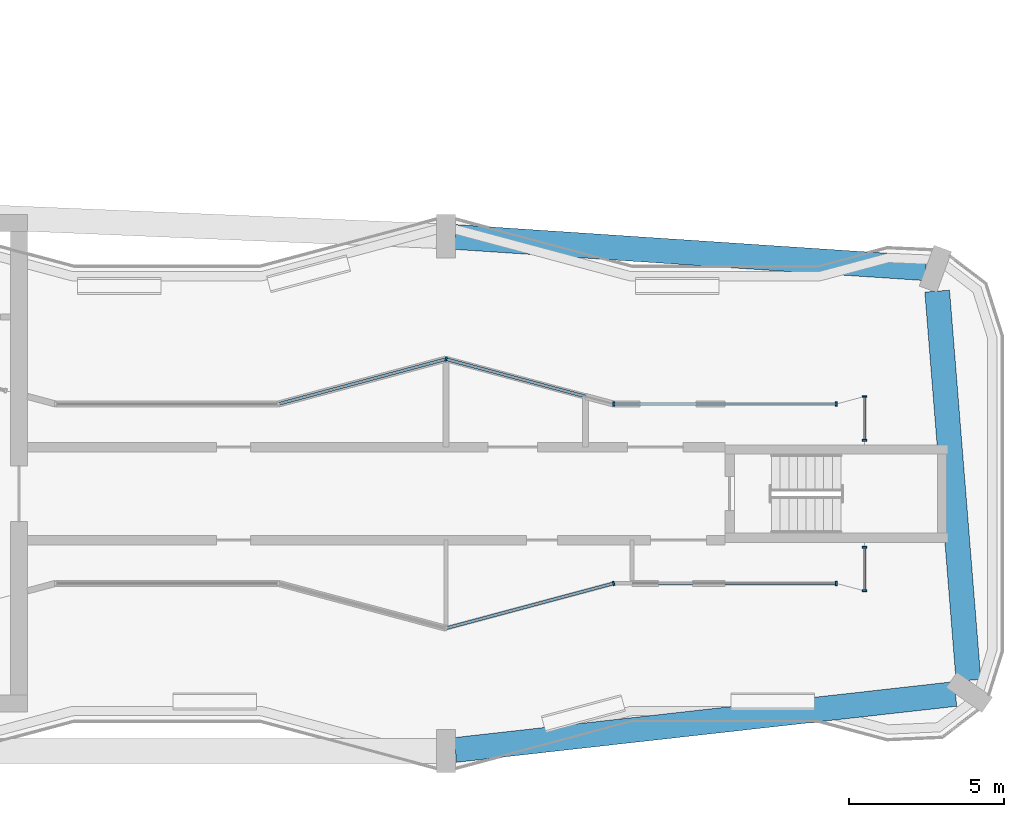
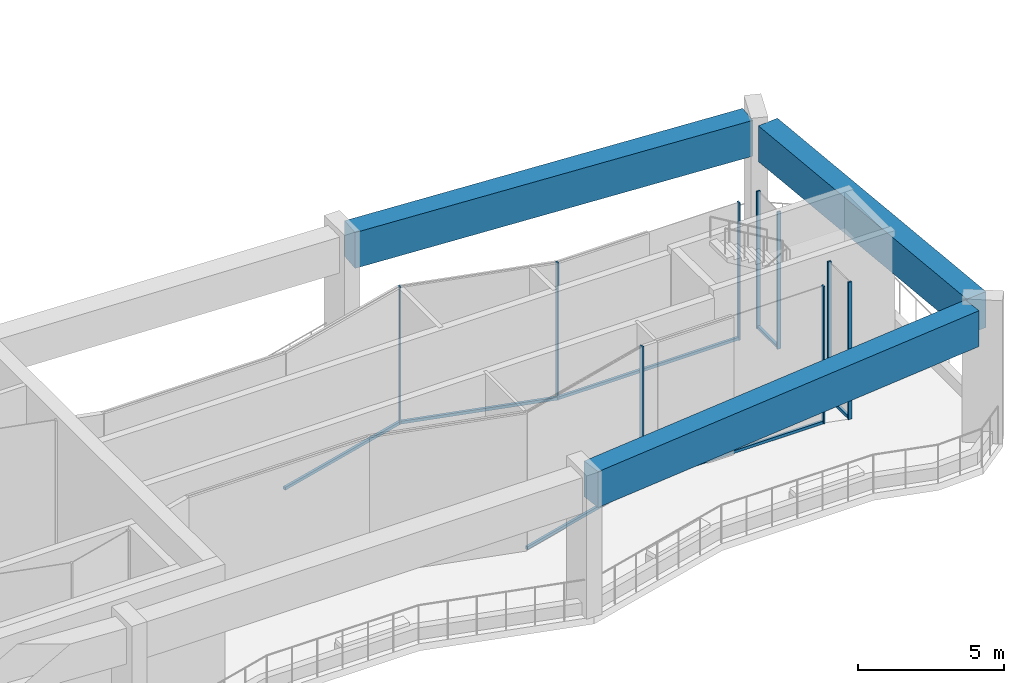
# One storey, part 6 of 17: 16 members, 3 beams, 7 elements without a shape of their own.
"""IFC4 building model written with IfcOpenShell, lengths in metres."""

from ifc_helpers import new_model, si_unit, direction, frame, origin, origin_2d, place, context, subcontext, project, spatial, rectangle, extrude, material, layer, layer_set, material_profile, profile_set, type_object, element, aggregate, save


model = new_model("IFC4")

# Units and contexts
model_context = context("Model", 3, precision=1e-05, world=origin(), true_north=direction((0.0, 1.0)))
body_context = subcontext(model_context, "Body", "Model", "MODEL_VIEW")
ifc_project = project(units=[si_unit("LENGTHUNIT", "METRE"), si_unit("AREAUNIT", "SQUARE_METRE"), si_unit("VOLUMEUNIT", "CUBIC_METRE"), si_unit("PLANEANGLEUNIT", "RADIAN"), si_unit("MASSUNIT", "GRAM", prefix="KILO")], contexts=[model_context])

# Site, building, storey
site_placement = place(None, origin())
site = spatial("IfcSite", under=ifc_project, at=site_placement, CompositionType="ELEMENT")
building_placement = place(site_placement, origin())
building = spatial("IfcBuilding", under=site, at=building_placement, Name="Plateau Cross Towers", CompositionType="ELEMENT")
storey_placement = place(building_placement, frame((0.0, 0.0, 184.89990234375)))
storey = spatial("IfcBuildingStorey", under=building, at=storey_placement, Name="L48", CompositionType="ELEMENT", Elevation=184.89990234375)

# Beams
ifc_material_1 = material(Name="Concrete C60/75", Category="concrete")
ifc_material_profile_1 = material_profile(ifc_material_1, rectangle(XDim=0.800048828125, YDim=1.5, at=origin_2d()), Name="RC 800x1500")
ifc_profile_set_1 = profile_set([ifc_material_profile_1], Name="Concrete C60/75")
beam_type = type_object("IfcBeamType", Name="Belt beam RC 800x1500", PredefinedType="BEAM", material=ifc_profile_set_1)
beam_1_placement = place(storey_placement, frame((36.300048828125, 0.733642578125, 5.0), z_axis=(0.993793168794, 0.111243596035, 0.0), x_axis=(-0.111243596035, 0.993793168794, 0.0)))
element("IfcBeam", 1, at=beam_1_placement, inside=storey, type_object=beam_type, Name="BELT-L48-02", PredefinedType="BEAM", context=body_context, shape_type="SweptSolid", body=[
    extrude(rectangle(XDim=0.800048828125, YDim=1.5, at=origin_2d()), origin(), (0.0, 0.0, 1.0), 16.23388671875),
])
beam_2_placement = place(storey_placement, frame((52.85302734375, 2.97802734375, 5.0), z_axis=(-0.080067998508, 0.996789403844, 0.0), x_axis=(-0.996789403844, -0.080067998508, 0.0)))
element("IfcBeam", 2, at=beam_2_placement, inside=storey, type_object=beam_type, Name="BELT-L48-03", PredefinedType="BEAM", context=body_context, shape_type="SweptSolid", body=[
    extrude(rectangle(XDim=0.800048828125, YDim=1.5, at=origin_2d()), origin(), (0.0, 0.0, 1.0), 12.59619140625),
])
beam_3_placement = place(storey_placement, frame((51.47509765625, 16.272705078125, 5.0), z_axis=(-0.99780408253, 0.06623452941, 0.0), x_axis=(-0.06623452941, -0.99780408253, 0.0)))
element("IfcBeam", 3, at=beam_3_placement, inside=storey, type_object=beam_type, Name="BELT-L48-04", PredefinedType="BEAM", context=body_context, shape_type="SweptSolid", body=[
    extrude(rectangle(XDim=0.800048828125, YDim=1.5, at=origin_2d()), origin(), (0.0, 0.0, 1.0), 15.20849609375),
])

# Curtain wall, member
ifc_material_2 = material(Name="Dark low-iron glass", Category="glass")
ifc_layer = layer(ifc_material_2, 0.239990234375)
ifc_layer_set = layer_set([ifc_layer], Name="Dark low-iron glass")
curtain_wall_type = type_object("IfcCurtainWallType", Name="Curtain wall flush unitised CW-B", PredefinedType="NOTDEFINED", material=ifc_layer_set)
curtain_wall_1_placement = place(storey_placement, origin())
curtain_wall_1 = element("IfcCurtainWall", 4, at=curtain_wall_1_placement, inside=storey, type_object=curtain_wall_type, Name="ENV/A/L48/inner0_360_133", PredefinedType="NOTDEFINED")
ifc_material_3 = material(Name="Black anodised aluminium", Category="aluminium")
ifc_material_profile_2 = material_profile(ifc_material_3, rectangle(XDim=0.06005859375, YDim=0.139892578125, at=origin_2d()), Name="MULLION 60x140")
ifc_profile_set_2 = profile_set([ifc_material_profile_2], Name="Black anodised aluminium")
member_type_1 = type_object("IfcMemberType", Name="Mullion 60x140 flush unitised", PredefinedType="MULLION", material=ifc_profile_set_2)
member_1_placement = place(storey_placement, frame((36.0, 13.34130859375, 0.0), z_axis=(0.0, 0.0, 1.0), x_axis=(0.965957983404, -0.258699003279, 0.0)))
member_1 = element("IfcMember", 5, at=member_1_placement, type_object=member_type_1, Name="CW-B mullion 1", PredefinedType="MULLION", context=body_context, shape_type="SweptSolid", body=[
    extrude(rectangle(XDim=0.06005859375, YDim=0.139892578125, at=origin_2d()), origin(), (0.0, 0.0, 1.0), 5.75),
])

# Curtain wall, members
curtain_wall_2_placement = place(storey_placement, origin())
curtain_wall_2 = element("IfcCurtainWall", 6, at=curtain_wall_2_placement, inside=storey, type_object=curtain_wall_type, Name="ENV/A/L48/inner0_414_119", PredefinedType="NOTDEFINED")
member_2_placement = place(storey_placement, frame((41.407958984375, 11.89306640625, 0.0), z_axis=(0.0, 0.0, 1.0), x_axis=(1.0, 0.0, 0.0)))
member_2 = element("IfcMember", 7, at=member_2_placement, type_object=member_type_1, Name="CW-B mullion 1", PredefinedType="MULLION", context=body_context, shape_type="SweptSolid", body=[
    extrude(rectangle(XDim=0.06005859375, YDim=0.139892578125, at=origin_2d()), origin(), (0.0, 0.0, 1.0), 5.75),
])
member_3_placement = place(storey_placement, frame((48.592041015625, 11.89306640625, 0.0), z_axis=(0.0, 0.0, 1.0), x_axis=(1.0, 0.0, 0.0)))
member_3 = element("IfcMember", 8, at=member_3_placement, type_object=member_type_1, Name="CW-B mullion 2", PredefinedType="MULLION", context=body_context, shape_type="SweptSolid", body=[
    extrude(rectangle(XDim=0.06005859375, YDim=0.139892578125, at=origin_2d()), origin(), (0.0, 0.0, 1.0), 5.75),
])

curtain_wall_3_placement = place(storey_placement, origin())
curtain_wall_3 = element("IfcCurtainWall", 9, at=curtain_wall_3_placement, inside=storey, type_object=curtain_wall_type, Name="ENV/A/L48/inner0_495_121", PredefinedType="NOTDEFINED")
member_4_placement = place(storey_placement, frame((49.5, 12.13623046875, 0.0), z_axis=(0.0, 0.0, 1.0), x_axis=(0.0, -1.0, 0.0)))
member_4 = element("IfcMember", 10, at=member_4_placement, type_object=member_type_1, Name="CW-B mullion 1", PredefinedType="MULLION", context=body_context, shape_type="SweptSolid", body=[
    extrude(rectangle(XDim=0.06005859375, YDim=0.139892578125, at=origin_2d()), origin(), (0.0, 0.0, 1.0), 5.75),
])
member_5_placement = place(storey_placement, frame((49.5, 10.72509765625, 0.0), z_axis=(0.0, 0.0, 1.0), x_axis=(0.0, -1.0, 0.0)))
member_5 = element("IfcMember", 11, at=member_5_placement, type_object=member_type_1, Name="CW-B mullion 2", PredefinedType="MULLION", context=body_context, shape_type="SweptSolid", body=[
    extrude(rectangle(XDim=0.06005859375, YDim=0.139892578125, at=origin_2d()), origin(), (0.0, 0.0, 1.0), 5.75),
])

curtain_wall_4_placement = place(storey_placement, origin())
curtain_wall_4 = element("IfcCurtainWall", 12, at=curtain_wall_4_placement, inside=storey, type_object=curtain_wall_type, Name="ENV/A/L48/inner0_495_73", PredefinedType="NOTDEFINED")
member_6_placement = place(storey_placement, frame((49.5, 7.27490234375, 0.0), z_axis=(0.0, 0.0, 1.0), x_axis=(0.0, -1.0, 0.0)))
member_6 = element("IfcMember", 13, at=member_6_placement, type_object=member_type_1, Name="CW-B mullion 1", PredefinedType="MULLION", context=body_context, shape_type="SweptSolid", body=[
    extrude(rectangle(XDim=0.06005859375, YDim=0.139892578125, at=origin_2d()), origin(), (0.0, 0.0, 1.0), 5.75),
])
member_7_placement = place(storey_placement, frame((49.5, 5.86376953125, 0.0), z_axis=(0.0, 0.0, 1.0), x_axis=(0.0, -1.0, 0.0)))
member_7 = element("IfcMember", 14, at=member_7_placement, type_object=member_type_1, Name="CW-B mullion 2", PredefinedType="MULLION", context=body_context, shape_type="SweptSolid", body=[
    extrude(rectangle(XDim=0.06005859375, YDim=0.139892578125, at=origin_2d()), origin(), (0.0, 0.0, 1.0), 5.75),
])

# Curtain wall, member
curtain_wall_5_placement = place(storey_placement, origin())
curtain_wall_5 = element("IfcCurtainWall", 15, at=curtain_wall_5_placement, inside=storey, type_object=curtain_wall_type, Name="ENV/A/L48/inner0_486_61", PredefinedType="NOTDEFINED")
member_8_placement = place(storey_placement, frame((48.592041015625, 6.10693359375, 0.0), z_axis=(0.0, 0.0, 1.0), x_axis=(-1.0, 0.0, 0.0)))
member_8 = element("IfcMember", 16, at=member_8_placement, type_object=member_type_1, Name="CW-B mullion 1", PredefinedType="MULLION", context=body_context, shape_type="SweptSolid", body=[
    extrude(rectangle(XDim=0.06005859375, YDim=0.139892578125, at=origin_2d()), origin(), (0.0, 0.0, 1.0), 5.75),
])

curtain_wall_6_placement = place(storey_placement, origin())
curtain_wall_6 = element("IfcCurtainWall", 17, at=curtain_wall_6_placement, inside=storey, type_object=curtain_wall_type, Name="ENV/A/L48/inner0_414_61", PredefinedType="NOTDEFINED")
member_9_placement = place(storey_placement, frame((41.407958984375, 6.10693359375, 0.0), z_axis=(0.0, 0.0, 1.0), x_axis=(-0.965957983404, -0.258699003279, 0.0)))
member_9 = element("IfcMember", 18, at=member_9_placement, type_object=member_type_1, Name="CW-B mullion 1", PredefinedType="MULLION", context=body_context, shape_type="SweptSolid", body=[
    extrude(rectangle(XDim=0.06005859375, YDim=0.139892578125, at=origin_2d()), origin(), (0.0, 0.0, 1.0), 5.75),
])

curtain_wall_7_placement = place(storey_placement, origin())
curtain_wall_7 = element("IfcCurtainWall", 19, at=curtain_wall_7_placement, inside=storey, type_object=curtain_wall_type, Name="ENV/A/L48/inner0_306_119", PredefinedType="NOTDEFINED")
ifc_material_profile_3 = material_profile(ifc_material_3, rectangle(XDim=0.10009765625, YDim=0.1201171875, at=origin_2d()), Name="TRANSOM 100x120")
ifc_profile_set_3 = profile_set([ifc_material_profile_3], Name="Black anodised aluminium")
member_type_2 = type_object("IfcMemberType", Name="Transom 100x120 flush unitised", PredefinedType="USERDEFINED", material=ifc_profile_set_3)
member_10_placement = place(storey_placement, frame((30.592041015625, 11.89306640625, 0.06005859375), z_axis=(0.965962257376, 0.25868304414, 0.0), x_axis=(-0.25868304414, 0.965962257376, 0.0)))
member_10 = element("IfcMember", 20, at=member_10_placement, type_object=member_type_2, Name="CW-B transom", ObjectType="TRANSOM", PredefinedType="USERDEFINED", context=body_context, shape_type="SweptSolid", body=[
    extrude(rectangle(XDim=0.10009765625, YDim=0.1201171875, at=origin_2d()), origin(), (0.0, 0.0, 1.0), 5.5986328125),
])
aggregate(curtain_wall_7, [member_10])

# Member
member_11_placement = place(storey_placement, frame((36.0, 13.34130859375, 0.06005859375), z_axis=(0.965962257376, -0.25868304414, 0.0), x_axis=(0.25868304414, 0.965962257376, 0.0)))
member_11 = element("IfcMember", 21, at=member_11_placement, type_object=member_type_2, Name="CW-B transom", ObjectType="TRANSOM", PredefinedType="USERDEFINED", context=body_context, shape_type="SweptSolid", body=[
    extrude(rectangle(XDim=0.10009765625, YDim=0.1201171875, at=origin_2d()), origin(), (0.0, 0.0, 1.0), 5.5986328125),
])

aggregate(curtain_wall_1, [member_1, member_11])

member_12_placement = place(storey_placement, frame((41.407958984375, 11.89306640625, 0.06005859375), z_axis=(1.0, 0.0, 0.0), x_axis=(0.0, 1.0, 0.0)))
member_12 = element("IfcMember", 22, at=member_12_placement, type_object=member_type_2, Name="CW-B transom", ObjectType="TRANSOM", PredefinedType="USERDEFINED", context=body_context, shape_type="SweptSolid", body=[
    extrude(rectangle(XDim=0.10009765625, YDim=0.1201171875, at=origin_2d()), origin(), (0.0, 0.0, 1.0), 7.18408203125),
])

aggregate(curtain_wall_2, [member_2, member_3, member_12])

member_13_placement = place(storey_placement, frame((49.5, 12.13623046875, 0.06005859375), z_axis=(0.0, -1.0, 0.0), x_axis=(1.0, 0.0, 0.0)))
member_13 = element("IfcMember", 23, at=member_13_placement, type_object=member_type_2, Name="CW-B transom", ObjectType="TRANSOM", PredefinedType="USERDEFINED", context=body_context, shape_type="SweptSolid", body=[
    extrude(rectangle(XDim=0.10009765625, YDim=0.1201171875, at=origin_2d()), origin(), (0.0, 0.0, 1.0), 1.4111328125),
])

aggregate(curtain_wall_3, [member_4, member_5, member_13])

member_14_placement = place(storey_placement, frame((49.5, 7.27490234375, 0.06005859375), z_axis=(0.0, -1.0, 0.0), x_axis=(1.0, 0.0, 0.0)))
member_14 = element("IfcMember", 24, at=member_14_placement, type_object=member_type_2, Name="CW-B transom", ObjectType="TRANSOM", PredefinedType="USERDEFINED", context=body_context, shape_type="SweptSolid", body=[
    extrude(rectangle(XDim=0.10009765625, YDim=0.1201171875, at=origin_2d()), origin(), (0.0, 0.0, 1.0), 1.4111328125),
])

aggregate(curtain_wall_4, [member_6, member_7, member_14])

member_15_placement = place(storey_placement, frame((48.592041015625, 6.10693359375, 0.06005859375), z_axis=(-1.0, 0.0, 0.0), x_axis=(0.0, -1.0, 0.0)))
member_15 = element("IfcMember", 25, at=member_15_placement, type_object=member_type_2, Name="CW-B transom", ObjectType="TRANSOM", PredefinedType="USERDEFINED", context=body_context, shape_type="SweptSolid", body=[
    extrude(rectangle(XDim=0.10009765625, YDim=0.1201171875, at=origin_2d()), origin(), (0.0, 0.0, 1.0), 7.18408203125),
])

aggregate(curtain_wall_5, [member_8, member_15])

member_16_placement = place(storey_placement, frame((41.407958984375, 6.10693359375, 0.06005859375), z_axis=(-0.965962257376, -0.25868304414, 0.0), x_axis=(0.25868304414, -0.965962257376, 0.0)))
member_16 = element("IfcMember", 26, at=member_16_placement, type_object=member_type_2, Name="CW-B transom", ObjectType="TRANSOM", PredefinedType="USERDEFINED", context=body_context, shape_type="SweptSolid", body=[
    extrude(rectangle(XDim=0.10009765625, YDim=0.1201171875, at=origin_2d()), origin(), (0.0, 0.0, 1.0), 5.5986328125),
])

aggregate(curtain_wall_6, [member_9, member_16])

save(model, "model.ifc")
